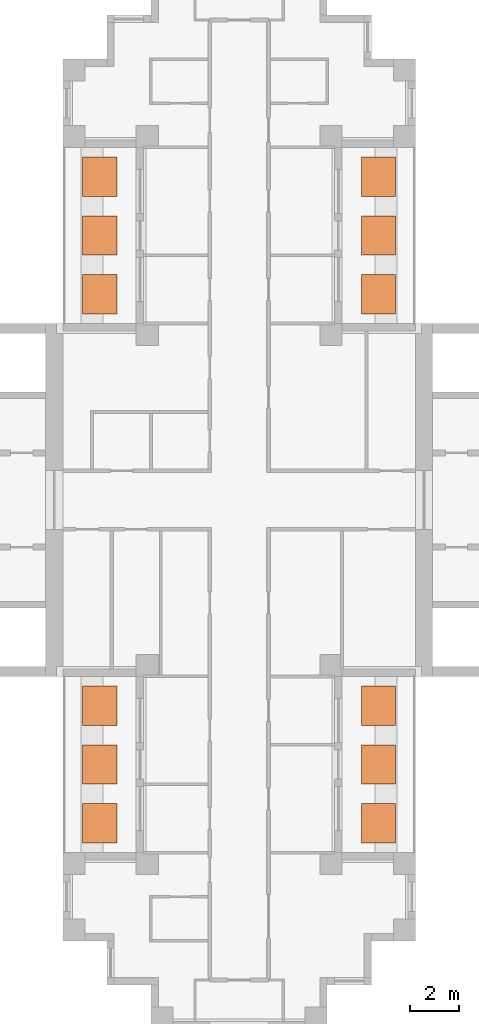
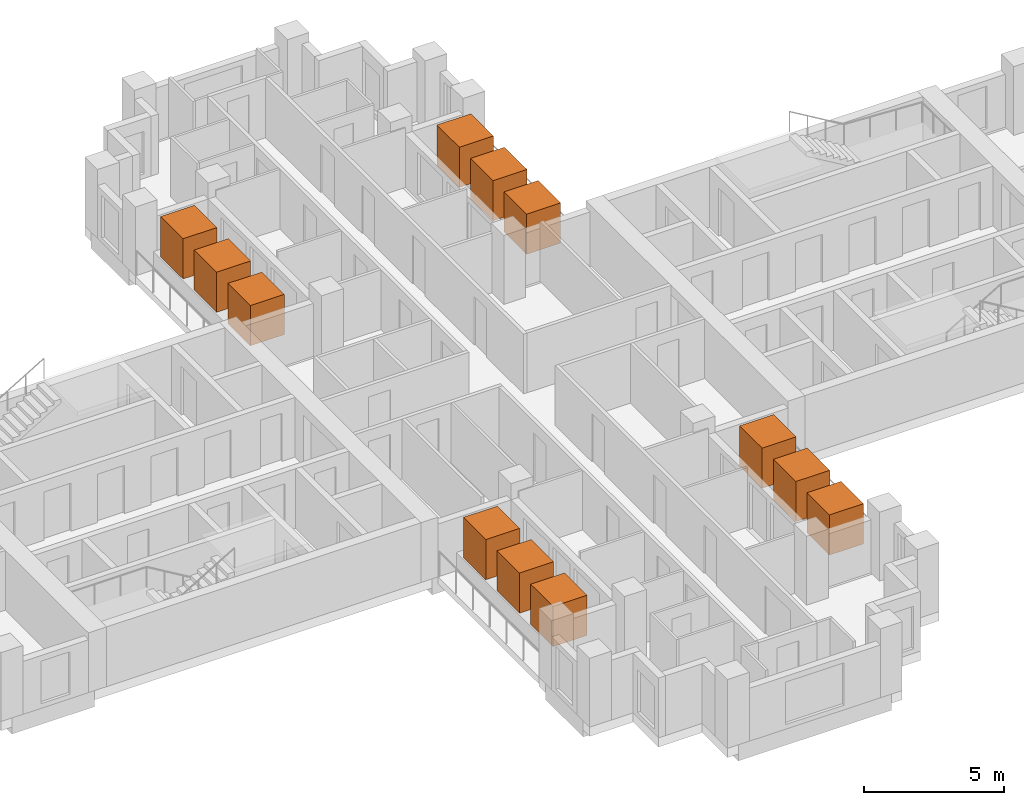
# One storey, part 10 of 10: 12 geographic elements.
"""IFC4 building model written with IfcOpenShell, lengths in metres."""

import ifcopenshell
import ifcopenshell.guid

model = None  # the IFC model being written
_history = None  # IfcOwnerHistory: only IFC2X3 demands one
_inside = {}  # id of a spatial element -> (the spatial element, [elements in it])
_under = {}  # id of a project, library or spatial element -> (it, [spatial elements below it])
_declared = {}  # id of a project -> (the project, [libraries it declares])
_typed = {}  # id of a type object -> (the type object, [elements of that type])
_made_of = {}  # id of a material, layer set ... -> (it, [elements and type objects made of it])


def new_model(schema):
    """Start an empty IFC model of exactly this schema.

    Asked for "IFC4X3", IfcOpenShell would pick the latest addendum, in which some entities
    have other attributes; the version numbers below select the first issue.
    IFC2X3 requires an IfcOwnerHistory on every rooted entity: one is made here for all.
    """
    global model, _history
    if schema == "IFC4X3":
        model = ifcopenshell.file(schema_version=(4, 3, 0, 0))
    else:
        model = ifcopenshell.file(schema=schema)
    _inside.clear()
    _under.clear()
    _declared.clear()
    _typed.clear()
    _made_of.clear()
    _history = None
    if model.schema == "IFC2X3":
        org = make("IfcOrganization", Name="unknown")
        user = make(
            "IfcPersonAndOrganization",
            ThePerson=make("IfcPerson", FamilyName="unknown"),
            TheOrganization=org,
        )
        app = make(
            "IfcApplication",
            ApplicationDeveloper=org,
            Version="unknown",
            ApplicationFullName="unknown",
            ApplicationIdentifier="unknown",
        )
        _history = make(
            "IfcOwnerHistory",
            OwningUser=user,
            OwningApplication=app,
            ChangeAction="ADDED",
            CreationDate=0,
        )
    return model


def make(cls, **values):
    """One entity of the class cls with the attributes given. An attribute that is None is left unset."""
    return model.create_entity(
        cls, **{name: value for name, value in values.items() if value is not None}
    )


def rooted(cls, **values):
    """An entity with a GlobalId (a new one), such as an element, a storey or a relation."""
    return make(cls, GlobalId=ifcopenshell.guid.new(), OwnerHistory=_history, **values)


def si_unit(unit_type, name, prefix=None):
    """IfcSIUnit, for example si_unit("LENGTHUNIT", "METRE", prefix="MILLI")."""
    return make("IfcSIUnit", UnitType=unit_type, Prefix=prefix, Name=name)


def assignment(units):
    """IfcUnitAssignment: the units of a project."""
    return None if units is None else make("IfcUnitAssignment", Units=units)


def point(xyz):
    """IfcCartesianPoint."""
    return None if xyz is None else make("IfcCartesianPoint", Coordinates=xyz)


def direction(xyz):
    """IfcDirection."""
    return None if xyz is None else make("IfcDirection", DirectionRatios=xyz)


def frame(location, z_axis=None, x_axis=None):
    """IfcAxis2Placement3D, a coordinate frame: its origin and axes. An axis left out is left unset."""
    return make(
        "IfcAxis2Placement3D",
        Location=point(location),
        Axis=direction(z_axis),
        RefDirection=direction(x_axis),
    )


def frame_2d(location, x_axis=None):
    """IfcAxis2Placement2D, a coordinate frame in the plane: its origin and x axis."""
    return make(
        "IfcAxis2Placement2D", Location=point(location), RefDirection=direction(x_axis)
    )


def origin():
    """The frame at (0, 0, 0) with its axes left unset."""
    return frame((0.0, 0.0, 0.0))


def origin_2d():
    """The frame at (0, 0) in the plane with its x axis left unset."""
    return frame_2d((0.0, 0.0))


def place(relative_to, where):
    """IfcLocalPlacement: puts the frame where relative to a parent placement (None: the world)."""
    return make(
        "IfcLocalPlacement", PlacementRelTo=relative_to, RelativePlacement=where
    )


def context(
    kind, dimensions, precision=None, world=None, true_north=None, identifier=None
):
    """IfcGeometricRepresentationContext, for example the 3D "Model" context."""
    return make(
        "IfcGeometricRepresentationContext",
        ContextIdentifier=identifier,
        ContextType=kind,
        CoordinateSpaceDimension=dimensions,
        Precision=precision,
        WorldCoordinateSystem=world,
        TrueNorth=true_north,
    )


def subcontext(parent, identifier, kind, view, scale=None):
    """IfcGeometricRepresentationSubContext, for example "Body" below "Model"."""
    return make(
        "IfcGeometricRepresentationSubContext",
        ContextIdentifier=identifier,
        ContextType=kind,
        ParentContext=parent,
        TargetScale=scale,
        TargetView=view,
    )


def project(units=None, contexts=None):
    """IfcProject with its units and contexts."""
    return rooted(
        "IfcProject",
        Name="project",
        RepresentationContexts=contexts,
        UnitsInContext=assignment(units),
    )


def spatial(cls, under=None, at=None, **own):
    """A site, building, storey or space (cls), placed at a placement, below another one or the project."""
    s = rooted(cls, ObjectPlacement=at, **own)
    if under is not None:
        _under.setdefault(under.id(), (under, []))[1].append(s)
    return s


def profile(cls, at=None, kind="AREA", **sizes):
    """A parametric profile (cls). Its sizes go by their IFC names, for example OverallWidth=200.0."""
    return make(cls, ProfileType=kind, Position=at, **sizes)


def rectangle(**sizes):
    """IfcRectangleProfileDef."""
    return profile("IfcRectangleProfileDef", **sizes)


def extrude(swept, where, along, depth):
    """IfcExtrudedAreaSolid: the profile swept, set in the frame where, extruded along a direction by depth."""
    return make(
        "IfcExtrudedAreaSolid",
        SweptArea=swept,
        Position=where,
        ExtrudedDirection=direction(along),
        Depth=depth,
    )


def shape(context_of_items, identifier, shape_type, items):
    """IfcShapeRepresentation: the items that make up one representation, for example the "Body"."""
    return make(
        "IfcShapeRepresentation",
        ContextOfItems=context_of_items,
        RepresentationIdentifier=identifier,
        RepresentationType=shape_type,
        Items=items,
    )


def material(Name=None, Category=None):
    """IfcMaterial."""
    return make("IfcMaterial", Name=Name, Category=Category)


def made_of(thing, what):
    """Note that an element or type object is made of a material, layer set ...; save() writes the relation."""
    if what is not None:
        _made_of.setdefault(what.id(), (what, []))[1].append(thing)
    return thing


def element(
    cls,
    number,
    at=None,
    inside=None,
    cuts=None,
    type_object=None,
    material=None,
    context=None,
    identifier="Body",
    shape_type=None,
    held_by="IfcProductDefinitionShape",
    body=None,
    shapes=None,
    **own,
):
    """One element of the class cls, such as IfcWall. Its Tag is "e" and its number.

    at: its placement. inside: the storey or other place that contains it. cuts: it is an
    opening in that element (IfcRelVoidsElement). A single representation is given by context,
    identifier, shape_type and body (its items); several are given by shapes. held_by: the class
    of the entity that holds the representations. save() writes the other relations.
    """
    e = rooted(cls, Tag="e%d" % number, ObjectPlacement=at, **own)
    if body is not None:
        shapes = [shape(context, identifier, shape_type, body)]
    if shapes is not None:
        e.Representation = make(held_by, Representations=shapes)
    if inside is not None:
        _inside.setdefault(inside.id(), (inside, []))[1].append(e)
    if cuts is not None:
        rooted(
            "IfcRelVoidsElement", RelatingBuildingElement=cuts, RelatedOpeningElement=e
        )
    if type_object is not None:
        _typed.setdefault(type_object.id(), (type_object, []))[1].append(e)
    return made_of(e, material)


def aggregate(whole, parts):
    """IfcRelAggregates: a whole, such as a stair, and the parts it consists of."""
    return rooted("IfcRelAggregates", RelatingObject=whole, RelatedObjects=parts)


def save(model, path):
    """Write the relations noted so far, then the file.

    IfcRelAggregates (storeys below a building ...), IfcRelContainedInSpatialStructure (elements
    in a storey), IfcRelDefinesByType, IfcRelAssociatesMaterial and IfcRelDeclares: one each for
    every whole, place, type object, material and project.
    """
    for whole, parts in _under.values():
        aggregate(whole, parts)
    for where, things in _inside.values():
        rooted(
            "IfcRelContainedInSpatialStructure",
            RelatedElements=things,
            RelatingStructure=where,
        )
    for kind, things in _typed.values():
        rooted("IfcRelDefinesByType", RelatedObjects=things, RelatingType=kind)
    for what, things in _made_of.values():
        rooted("IfcRelAssociatesMaterial", RelatedObjects=things, RelatingMaterial=what)
    for by, libraries in _declared.values():
        rooted("IfcRelDeclares", RelatingContext=by, RelatedDefinitions=libraries)
    model.write(path)


model = new_model("IFC4")

# Units and contexts
model_context = context("Model", 3, precision=1e-05, world=origin(), true_north=direction((0.0, 1.0)))
body_context = subcontext(model_context, "Body", "Model", "MODEL_VIEW")
ifc_project = project(units=[si_unit("LENGTHUNIT", "METRE"), si_unit("AREAUNIT", "SQUARE_METRE"), si_unit("VOLUMEUNIT", "CUBIC_METRE"), si_unit("PLANEANGLEUNIT", "RADIAN"), si_unit("MASSUNIT", "GRAM", prefix="KILO")], contexts=[model_context])

# Site, building, storey
site_placement = place(None, origin())
site = spatial("IfcSite", under=ifc_project, at=site_placement, CompositionType="ELEMENT")
building_placement = place(site_placement, origin())
building = spatial("IfcBuilding", under=site, at=building_placement, Name="Fustian Cross Tower", CompositionType="ELEMENT")
storey_placement = place(building_placement, frame((0.0, 0.0, 231.89990234375)))
storey = spatial("IfcBuildingStorey", under=building, at=storey_placement, Name="L73", CompositionType="ELEMENT", Elevation=231.89990234375)

# Geographic elements
ifc_material = material(Name="Evergreen foliage")
for number, where, z_axis, x_axis, name in (
    (1, (5.68994140625, 8.39990234375, 0.800048828125), (0.0, 0.0, 1.0), (1.0, 0.0, 0.0), "TREE field maple"),
    (2, (5.68994140625, 10.800048828125, 0.800048828125), (0.0, 0.0, 1.0), (1.0, 0.0, 0.0), "TREE field maple"),
    (3, (5.68994140625, 13.199951171875, 0.800048828125), (0.0, 0.0, 1.0), (1.0, 0.0, 0.0), "TREE field maple"),
    (4, (-5.68994140625, 8.39990234375, 0.800048828125), (0.0, 0.0, 1.0), (1.0, 0.0, 0.0), "TREE field maple"),
    (5, (-5.68994140625, 10.800048828125, 0.800048828125), (0.0, 0.0, 1.0), (1.0, 0.0, 0.0), "TREE field maple"),
    (6, (-5.68994140625, 13.199951171875, 0.800048828125), (0.0, 0.0, 1.0), (1.0, 0.0, 0.0), "TREE field maple"),
    (7, (5.68994140625, -13.199951171875, 0.800048828125), (0.0, 0.0, 1.0), (1.0, 0.0, 0.0), "TREE field maple"),
    (8, (5.68994140625, -10.800048828125, 0.800048828125), (0.0, 0.0, 1.0), (1.0, 0.0, 0.0), "TREE field maple"),
    (9, (5.68994140625, -8.39990234375, 0.800048828125), (0.0, 0.0, 1.0), (1.0, 0.0, 0.0), "TREE field maple"),
    (10, (-5.68994140625, -13.199951171875, 0.800048828125), (0.0, 0.0, 1.0), (1.0, 0.0, 0.0), "TREE field maple"),
    (11, (-5.68994140625, -10.800048828125, 0.800048828125), (0.0, 0.0, 1.0), (1.0, 0.0, 0.0), "TREE field maple"),
    (12, (-5.68994140625, -8.39990234375, 0.800048828125), (0.0, 0.0, 1.0), (1.0, 0.0, 0.0), "TREE field maple"),
):
    element("IfcGeographicElement", number, at=place(storey_placement, frame(where, z_axis=z_axis, x_axis=x_axis)), inside=storey, material=ifc_material, Name=name, ObjectType="VEGETATION", PredefinedType="USERDEFINED", context=body_context, shape_type="SweptSolid", body=[
        extrude(rectangle(XDim=1.39990234375, YDim=1.60009765625, at=origin_2d()), origin(), (0.0, 0.0, 1.0), 1.75),
    ])

save(model, "model.ifc")
